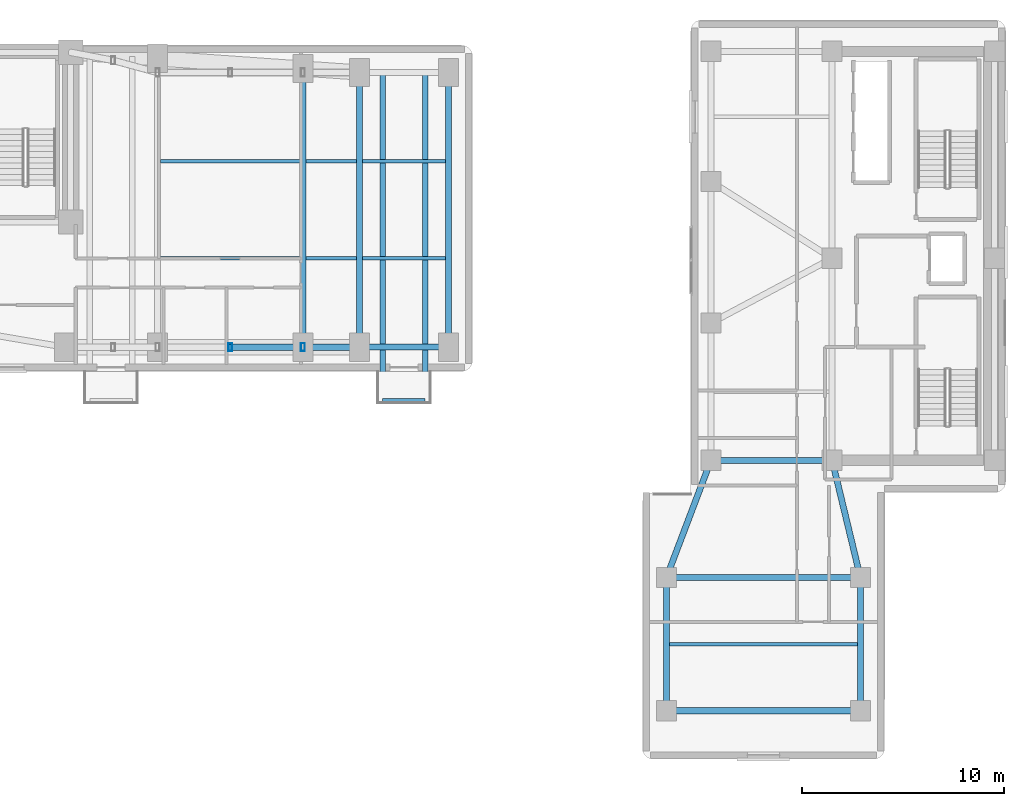
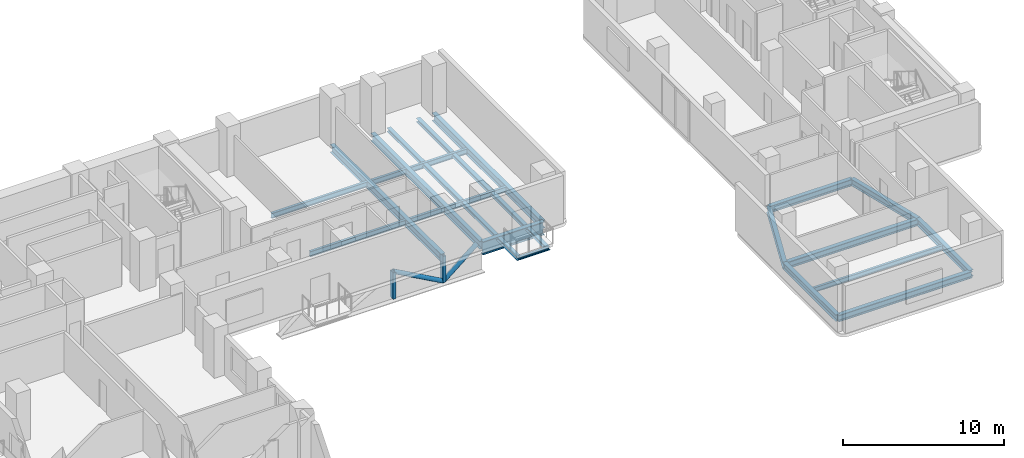
# One storey, part 3 of 15: 21 beams, 4 members.
"""IFC4 building model written with IfcOpenShell, lengths in metres."""

from ifc_helpers import new_model, si_unit, direction, frame, origin, origin_2d, place, context, subcontext, project, spatial, hollow_rectangle, hollow_circle, i_section, extrude, material, material_profile, profile_set, type_object, element, save


model = new_model("IFC4")

# Units and contexts
model_context = context("Model", 3, precision=1e-05, world=origin(), true_north=direction((0.0, 1.0)))
body_context = subcontext(model_context, "Body", "Model", "MODEL_VIEW")
ifc_project = project(units=[si_unit("LENGTHUNIT", "METRE"), si_unit("AREAUNIT", "SQUARE_METRE"), si_unit("VOLUMEUNIT", "CUBIC_METRE"), si_unit("PLANEANGLEUNIT", "RADIAN"), si_unit("MASSUNIT", "GRAM", prefix="KILO")], contexts=[model_context])

# Site, building, storey
site_placement = place(None, origin())
site = spatial("IfcSite", under=ifc_project, at=site_placement, CompositionType="ELEMENT")
building_placement = place(site_placement, origin())
building = spatial("IfcBuilding", under=site, at=building_placement, Name="Kuzgunbayir Cultural Tower", CompositionType="ELEMENT")
storey_placement = place(building_placement, frame((0.0, 0.0, 39.800048828125)))
storey = spatial("IfcBuildingStorey", under=building, at=storey_placement, Name="L10", CompositionType="ELEMENT", Elevation=39.800048828125)

# Beams
ifc_material_1 = material(Name="Steel S355J2", Category="steel")
ifc_material_profile_1 = material_profile(ifc_material_1, i_section(OverallWidth=0.280029296875, OverallDepth=0.280029296875, WebThickness=0.010498046875, FlangeThickness=0.01806640625, FilletRadius=0.02392578125, at=origin_2d()), Name="HEB 280")
ifc_profile_set_1 = profile_set([ifc_material_profile_1], Name="Steel S355J2")
beam_type_1 = type_object("IfcBeamType", Name="BM-BAL-HEB280", PredefinedType="BEAM", material=ifc_profile_set_1)
for number, where, z_axis, x_axis, name in (
    (1, (42.35009765625, 24.9599609375, -0.380126953125), (0.0, 1.0, 0.0), (-1.0, 0.0, 0.0), "L10 Balcony Outrigger Beam BAL-L10-WB3.1"),
    (2, (44.449951171875, 24.9599609375, -0.380126953125), (0.0, 1.0, 0.0), (-1.0, 0.0, 0.0), "L10 Balcony Outrigger Beam BAL-L10-WB3.2"),
):
    element("IfcBeam", number, at=place(storey_placement, frame(where, z_axis=z_axis, x_axis=x_axis)), inside=storey, type_object=beam_type_1, Name=name, PredefinedType="BEAM", context=body_context, shape_type="SweptSolid", body=[
        extrude(i_section(OverallWidth=0.280029296875, OverallDepth=0.280029296875, WebThickness=0.010498046875, FlangeThickness=0.01806640625, FilletRadius=0.02392578125, at=origin_2d()), origin(), (0.0, 0.0, 1.0), 16.239990234375),
    ])
ifc_material_profile_2 = material_profile(ifc_material_1, i_section(OverallWidth=0.199951171875, OverallDepth=0.199951171875, WebThickness=0.009033203125, FlangeThickness=0.014892578125, FilletRadius=0.01806640625, at=origin_2d()), Name="HEB 200")
ifc_profile_set_2 = profile_set([ifc_material_profile_2], Name="Steel S355J2")
beam_type_2 = type_object("IfcBeamType", Name="BM-CAN-HEB200", PredefinedType="BEAM", material=ifc_profile_set_2)
beam_1_placement = place(storey_placement, frame((42.35009765625, 24.9599609375, -0.340087890625), z_axis=(1.0, 0.0, 0.0), x_axis=(0.0, 1.0, 0.0)))
element("IfcBeam", 3, at=beam_1_placement, inside=storey, type_object=beam_type_2, Name="L10 Balcony Edge Header BAL-L10-WB3", PredefinedType="BEAM", context=body_context, shape_type="SweptSolid", body=[
    extrude(i_section(OverallWidth=0.199951171875, OverallDepth=0.199951171875, WebThickness=0.009033203125, FlangeThickness=0.014892578125, FilletRadius=0.01806640625, at=origin_2d()), origin(), (0.0, 0.0, 1.0), 2.099853515625),
])
ifc_material_profile_3 = material_profile(ifc_material_1, i_section(OverallWidth=0.300048828125, OverallDepth=0.5, WebThickness=0.014404296875, FlangeThickness=0.028076171875, FilletRadius=0.027099609375, at=origin_2d()), Name="HEB 500")
ifc_profile_set_3 = profile_set([ifc_material_profile_3], Name="Steel S355J2")
beam_type_3 = type_object("IfcBeamType", Name="BM-EXT-HEB500", PredefinedType="BEAM", material=ifc_profile_set_3)
beam_2_placement = place(storey_placement, frame((56.39990234375, 9.60009765625, -0.489990234375), z_axis=(0.0, 1.0, 0.0), x_axis=(-1.0, 0.0, 0.0)))
element("IfcBeam", 4, at=beam_2_placement, inside=storey, type_object=beam_type_3, Name="L10 Companion Wing B West Girder", PredefinedType="BEAM", context=body_context, shape_type="SweptSolid", body=[
    extrude(i_section(OverallWidth=0.300048828125, OverallDepth=0.5, WebThickness=0.014404296875, FlangeThickness=0.028076171875, FilletRadius=0.027099609375, at=origin_2d()), origin(), (0.0, 0.0, 1.0), 6.599853515625),
])
beam_3_placement = place(storey_placement, frame((56.39990234375, 16.199951171875, -0.489990234375), z_axis=(0.354679148754, 0.93498807556, 0.0), x_axis=(-0.93498807556, 0.354679148754, 0.0)))
element("IfcBeam", 5, at=beam_3_placement, inside=storey, type_object=beam_type_3, Name="L10 Companion Wing B Floor Girder W", PredefinedType="BEAM", context=body_context, shape_type="SweptSolid", body=[
    extrude(i_section(OverallWidth=0.300048828125, OverallDepth=0.5, WebThickness=0.014404296875, FlangeThickness=0.028076171875, FilletRadius=0.027099609375, at=origin_2d()), origin(), (0.0, 0.0, 1.0), 6.203369140625),
])
beam_4_placement = place(storey_placement, frame((66.0, 9.60009765625, -0.489990234375), z_axis=(0.0, 1.0, 0.0), x_axis=(-1.0, 0.0, 0.0)))
element("IfcBeam", 6, at=beam_4_placement, inside=storey, type_object=beam_type_3, Name="L10 Companion Wing B East Girder", PredefinedType="BEAM", context=body_context, shape_type="SweptSolid", body=[
    extrude(i_section(OverallWidth=0.300048828125, OverallDepth=0.5, WebThickness=0.014404296875, FlangeThickness=0.028076171875, FilletRadius=0.027099609375, at=origin_2d()), origin(), (0.0, 0.0, 1.0), 6.599853515625),
])
beam_5_placement = place(storey_placement, frame((66.0, 16.199951171875, -0.489990234375), z_axis=(-0.234623200431, 0.972086392158, 0.0), x_axis=(-0.972086392158, -0.234623200431, 0.0)))
element("IfcBeam", 7, at=beam_5_placement, inside=storey, type_object=beam_type_3, Name="L10 Companion Wing B Floor Girder E", PredefinedType="BEAM", context=body_context, shape_type="SweptSolid", body=[
    extrude(i_section(OverallWidth=0.300048828125, OverallDepth=0.5, WebThickness=0.014404296875, FlangeThickness=0.028076171875, FilletRadius=0.027099609375, at=origin_2d()), origin(), (0.0, 0.0, 1.0), 5.966552734375),
])
beam_6_placement = place(storey_placement, frame((56.39990234375, 9.60009765625, -0.489990234375), z_axis=(1.0, 0.0, 0.0), x_axis=(0.0, 1.0, 0.0)))
element("IfcBeam", 8, at=beam_6_placement, inside=storey, type_object=beam_type_3, Name="L10 Companion Wing B South Girder", PredefinedType="BEAM", context=body_context, shape_type="SweptSolid", body=[
    extrude(i_section(OverallWidth=0.300048828125, OverallDepth=0.5, WebThickness=0.014404296875, FlangeThickness=0.028076171875, FilletRadius=0.027099609375, at=origin_2d()), origin(), (0.0, 0.0, 1.0), 9.60009765625),
])
ifc_material_2 = material(Name="Steel S460M", Category="steel")
ifc_material_profile_4 = material_profile(ifc_material_2, i_section(OverallWidth=0.300048828125, OverallDepth=1.0, WebThickness=0.01904296875, FlangeThickness=0.035888671875, FilletRadius=0.030029296875, at=origin_2d()), Name="HEB 1000")
ifc_profile_set_4 = profile_set([ifc_material_profile_4], Name="Steel S460M")
beam_type_4 = type_object("IfcBeamType", Name="BM-GIR-HEB1000", PredefinedType="BEAM", material=ifc_profile_set_4)
beam_7_placement = place(storey_placement, frame((41.199951171875, 27.60009765625, -0.739990234375), z_axis=(1.0, 0.0, 0.0), x_axis=(0.0, 1.0, 0.0)))
element("IfcBeam", 9, at=beam_7_placement, inside=storey, type_object=beam_type_4, Name="L10 Portal Pier South Girder", PredefinedType="BEAM", context=body_context, shape_type="SweptSolid", body=[
    extrude(i_section(OverallWidth=0.300048828125, OverallDepth=1.0, WebThickness=0.01904296875, FlangeThickness=0.035888671875, FilletRadius=0.030029296875, at=origin_2d()), origin(), (0.0, 0.0, 1.0), 4.400146484375),
])
ifc_material_profile_5 = material_profile(ifc_material_1, i_section(OverallWidth=0.300048828125, OverallDepth=0.5, WebThickness=0.014404296875, FlangeThickness=0.028076171875, FilletRadius=0.027099609375, at=origin_2d()), Name="HEB 500")
ifc_profile_set_5 = profile_set([ifc_material_profile_5], Name="Steel S355J2")
beam_type_5 = type_object("IfcBeamType", Name="BM-GIR-HEB500", PredefinedType="BEAM", material=ifc_profile_set_5)
beam_8_placement = place(storey_placement, frame((58.60009765625, 22.0, -0.489990234375), z_axis=(1.0, 0.0, 0.0), x_axis=(0.0, 1.0, 0.0)))
element("IfcBeam", 10, at=beam_8_placement, inside=storey, type_object=beam_type_5, Name="L10 Companion Transverse Girder 1", PredefinedType="BEAM", context=body_context, shape_type="SweptSolid", body=[
    extrude(i_section(OverallWidth=0.300048828125, OverallDepth=0.5, WebThickness=0.014404296875, FlangeThickness=0.028076171875, FilletRadius=0.027099609375, at=origin_2d()), origin(), (0.0, 0.0, 1.0), 6.0),
])
beam_9_placement = place(storey_placement, frame((56.39990234375, 16.199951171875, -0.489990234375), z_axis=(1.0, 0.0, 0.0), x_axis=(0.0, 1.0, 0.0)))
element("IfcBeam", 11, at=beam_9_placement, inside=storey, type_object=beam_type_5, Name="L10 Companion Wing B Mid Girder", PredefinedType="BEAM", context=body_context, shape_type="SweptSolid", body=[
    extrude(i_section(OverallWidth=0.300048828125, OverallDepth=0.5, WebThickness=0.014404296875, FlangeThickness=0.028076171875, FilletRadius=0.027099609375, at=origin_2d()), origin(), (0.0, 0.0, 1.0), 9.60009765625),
])
ifc_material_profile_6 = material_profile(ifc_material_1, i_section(OverallWidth=0.300048828125, OverallDepth=0.60009765625, WebThickness=0.015380859375, FlangeThickness=0.030029296875, FilletRadius=0.027099609375, at=origin_2d()), Name="HEB 600")
ifc_profile_set_6 = profile_set([ifc_material_profile_6], Name="Steel S355J2")
beam_type_6 = type_object("IfcBeamType", Name="BM-GIR-HEB600", PredefinedType="BEAM", material=ifc_profile_set_6)
beam_10_placement = place(storey_placement, frame((38.39990234375, 27.60009765625, -0.5400390625), z_axis=(0.0, 1.0, 0.0), x_axis=(-1.0, 0.0, 0.0)))
element("IfcBeam", 12, at=beam_10_placement, inside=storey, type_object=beam_type_6, Name="L10 Wing B Cross Girder 38", PredefinedType="BEAM", context=body_context, shape_type="SweptSolid", body=[
    extrude(i_section(OverallWidth=0.300048828125, OverallDepth=0.60009765625, WebThickness=0.015380859375, FlangeThickness=0.030029296875, FilletRadius=0.027099609375, at=origin_2d()), origin(), (0.0, 0.0, 1.0), 13.7998046875),
])
for number, where, z_axis, x_axis, name in (
    (13, (41.199951171875, 27.60009765625, -0.5400390625), (0.0, 1.0, 0.0), (-1.0, 0.0, 0.0), "L10 Wing B Cross Girder 41"),
    (14, (45.60009765625, 27.60009765625, -0.5400390625), (0.0, 1.0, 0.0), (-1.0, 0.0, 0.0), "L10 Wing B Cross Girder 45"),
):
    element("IfcBeam", number, at=place(storey_placement, frame(where, z_axis=z_axis, x_axis=x_axis)), inside=storey, type_object=beam_type_6, Name=name, PredefinedType="BEAM", context=body_context, shape_type="SweptSolid", body=[
        extrude(i_section(OverallWidth=0.300048828125, OverallDepth=0.60009765625, WebThickness=0.015380859375, FlangeThickness=0.030029296875, FilletRadius=0.027099609375, at=origin_2d()), origin(), (0.0, 0.0, 1.0), 13.599853515625),
    ])
ifc_material_profile_7 = material_profile(ifc_material_1, i_section(OverallWidth=0.169921875, OverallDepth=0.360107421875, WebThickness=0.008056640625, FlangeThickness=0.0126953125, FilletRadius=0.01806640625, at=origin_2d()), Name="IPE 360")
ifc_profile_set_7 = profile_set([ifc_material_profile_7], Name="Steel S355J2")
beam_type_7 = type_object("IfcBeamType", Name="BM-JST-IPE360", PredefinedType="JOIST", material=ifc_profile_set_7)
beam_11_placement = place(storey_placement, frame((56.550048828125, 12.89990234375, -0.420166015625), z_axis=(1.0, 0.0, 0.0), x_axis=(0.0, 1.0, 0.0)))
element("IfcBeam", 15, at=beam_11_placement, inside=storey, type_object=beam_type_7, Name="L10 Companion Wing B Joist", PredefinedType="JOIST", context=body_context, shape_type="SweptSolid", body=[
    extrude(i_section(OverallWidth=0.169921875, OverallDepth=0.360107421875, WebThickness=0.008056640625, FlangeThickness=0.0126953125, FilletRadius=0.01806640625, at=origin_2d()), origin(), (0.0, 0.0, 1.0), 9.300048828125),
])
ifc_material_profile_8 = material_profile(ifc_material_1, i_section(OverallWidth=0.179931640625, OverallDepth=0.39990234375, WebThickness=0.008544921875, FlangeThickness=0.013427734375, FilletRadius=0.02099609375, at=origin_2d()), Name="IPE 400")
ifc_profile_set_8 = profile_set([ifc_material_profile_8], Name="Steel S355J2")
beam_type_8 = type_object("IfcBeamType", Name="BM-JST-IPE400", PredefinedType="JOIST", material=ifc_profile_set_8)
for number, where, z_axis, x_axis, name in (
    (16, (31.35009765625, 32.0, -0.43994140625), (1.0, 0.0, 0.0), (0.0, 1.0, 0.0), "L10 Wing B Secondary Joist 1.1"),
    (17, (31.35009765625, 36.800048828125, -0.43994140625), (1.0, 0.0, 0.0), (0.0, 1.0, 0.0), "L10 Wing B Secondary Joist 1.2"),
):
    element("IfcBeam", number, at=place(storey_placement, frame(where, z_axis=z_axis, x_axis=x_axis)), inside=storey, type_object=beam_type_8, Name=name, PredefinedType="JOIST", context=body_context, shape_type="SweptSolid", body=[
        extrude(i_section(OverallWidth=0.179931640625, OverallDepth=0.39990234375, WebThickness=0.008544921875, FlangeThickness=0.013427734375, FilletRadius=0.02099609375, at=origin_2d()), origin(), (0.0, 0.0, 1.0), 6.89990234375),
    ])
for number, where, z_axis, x_axis, name in (
    (18, (38.550048828125, 32.0, -0.43994140625), (1.0, 0.0, 0.0), (0.0, 1.0, 0.0), "L10 Wing B Secondary Joist 2.1"),
    (19, (38.550048828125, 36.800048828125, -0.43994140625), (1.0, 0.0, 0.0), (0.0, 1.0, 0.0), "L10 Wing B Secondary Joist 2.2"),
):
    element("IfcBeam", number, at=place(storey_placement, frame(where, z_axis=z_axis, x_axis=x_axis)), inside=storey, type_object=beam_type_8, Name=name, PredefinedType="JOIST", context=body_context, shape_type="SweptSolid", body=[
        extrude(i_section(OverallWidth=0.179931640625, OverallDepth=0.39990234375, WebThickness=0.008544921875, FlangeThickness=0.013427734375, FilletRadius=0.02099609375, at=origin_2d()), origin(), (0.0, 0.0, 1.0), 2.5),
    ])
for number, where, z_axis, x_axis, name in (
    (20, (41.35009765625, 32.0, -0.43994140625), (1.0, 0.0, 0.0), (0.0, 1.0, 0.0), "L10 Wing B Secondary Joist 3.1"),
    (21, (41.35009765625, 36.800048828125, -0.43994140625), (1.0, 0.0, 0.0), (0.0, 1.0, 0.0), "L10 Wing B Secondary Joist 3.2"),
):
    element("IfcBeam", number, at=place(storey_placement, frame(where, z_axis=z_axis, x_axis=x_axis)), inside=storey, type_object=beam_type_8, Name=name, PredefinedType="JOIST", context=body_context, shape_type="SweptSolid", body=[
        extrude(i_section(OverallWidth=0.179931640625, OverallDepth=0.39990234375, WebThickness=0.008544921875, FlangeThickness=0.013427734375, FilletRadius=0.02099609375, at=origin_2d()), origin(), (0.0, 0.0, 1.0), 4.099853515625),
    ])

# Members
ifc_material_profile_9 = material_profile(ifc_material_2, hollow_circle(Radius=0.161865234375, WallThickness=0.01611328125, at=origin_2d()), Name="CHS 323.9x16")
ifc_profile_set_9 = profile_set([ifc_material_profile_9], Name="Steel S460M")
member_type_1 = type_object("IfcMemberType", Name="MEM-PRT-CHS324", PredefinedType="BRACE", material=ifc_profile_set_9)
member_1_placement = place(storey_placement, frame((34.800048828125, 27.60009765625, -0.300048828125), z_axis=(0.874148886685, 0.0, -0.485658031857), x_axis=(0.0, 1.0, 0.0)))
element("IfcMember", 22, at=member_1_placement, inside=storey, type_object=member_type_1, Name="L10 Void-Portal Bridge Truss Diagonal 4", PredefinedType="BRACE", context=body_context, shape_type="SweptSolid", body=[
    extrude(hollow_circle(Radius=0.161865234375, WallThickness=0.01611328125, at=origin_2d()), origin(), (0.0, 0.0, 1.0), 4.1181640625),
])
member_2_placement = place(storey_placement, frame((38.39990234375, 27.60009765625, -2.300048828125), z_axis=(0.774685894403, 0.0, 0.632346238237), x_axis=(0.0, 1.0, 0.0)))
element("IfcMember", 23, at=member_2_placement, inside=storey, type_object=member_type_1, Name="L10 Void-Portal Bridge Truss Diagonal 5", PredefinedType="BRACE", context=body_context, shape_type="SweptSolid", body=[
    extrude(hollow_circle(Radius=0.161865234375, WallThickness=0.01611328125, at=origin_2d()), origin(), (0.0, 0.0, 1.0), 3.162841796875),
])
ifc_material_profile_10 = material_profile(ifc_material_2, hollow_rectangle(XDim=0.199951171875, YDim=0.39990234375, WallThickness=0.01611328125, at=origin_2d()), Name="RHS 400x200x16")
ifc_profile_set_10 = profile_set([ifc_material_profile_10], Name="Steel S460M")
member_type_2 = type_object("IfcMemberType", Name="MEM-STR-RHS400", PredefinedType="STRUT", material=ifc_profile_set_10)
for number, where, z_axis, x_axis, name in (
    (24, (34.800048828125, 27.60009765625, -2.300048828125), (0.0, 0.0, 1.0), (1.0, 0.0, 0.0), "L10 Portal Truss Vertical Web 34"),
    (25, (38.39990234375, 27.60009765625, -2.300048828125), (0.0, 0.0, 1.0), (1.0, 0.0, 0.0), "L10 Portal Truss Vertical Web 38"),
):
    element("IfcMember", number, at=place(storey_placement, frame(where, z_axis=z_axis, x_axis=x_axis)), inside=storey, type_object=member_type_2, Name=name, PredefinedType="STRUT", context=body_context, shape_type="SweptSolid", body=[
        extrude(hollow_rectangle(XDim=0.199951171875, YDim=0.39990234375, WallThickness=0.01611328125, at=origin_2d()), origin(), (0.0, 0.0, 1.0), 2.0),
    ])

save(model, "model.ifc")
